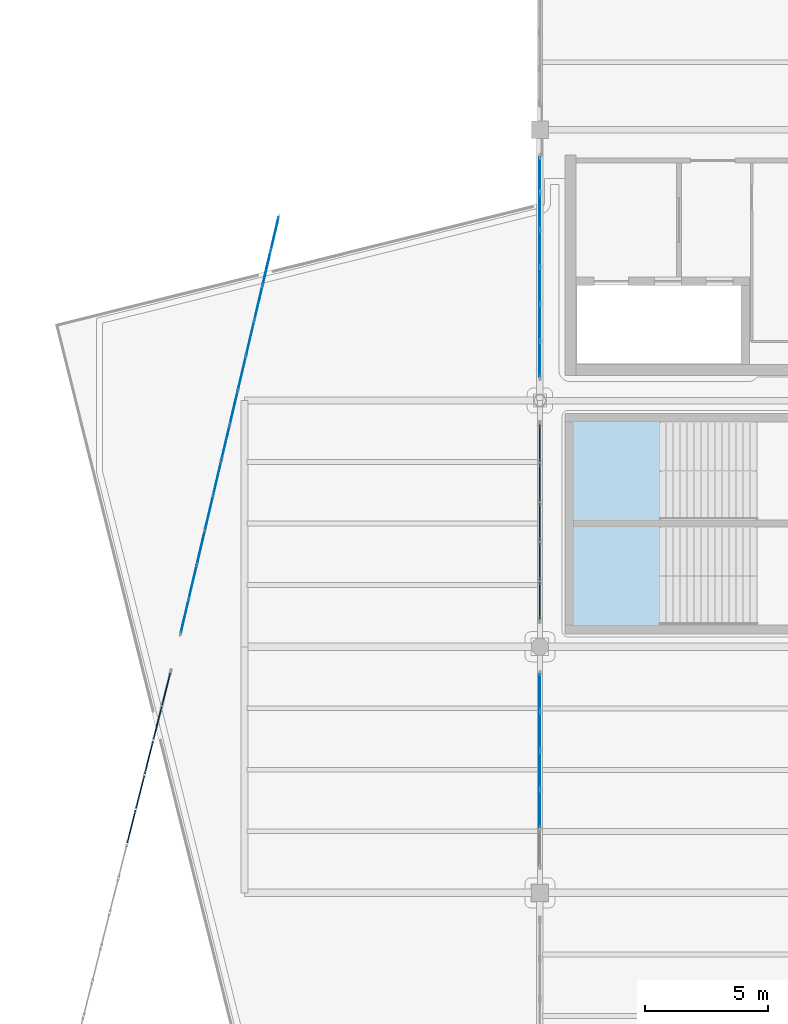
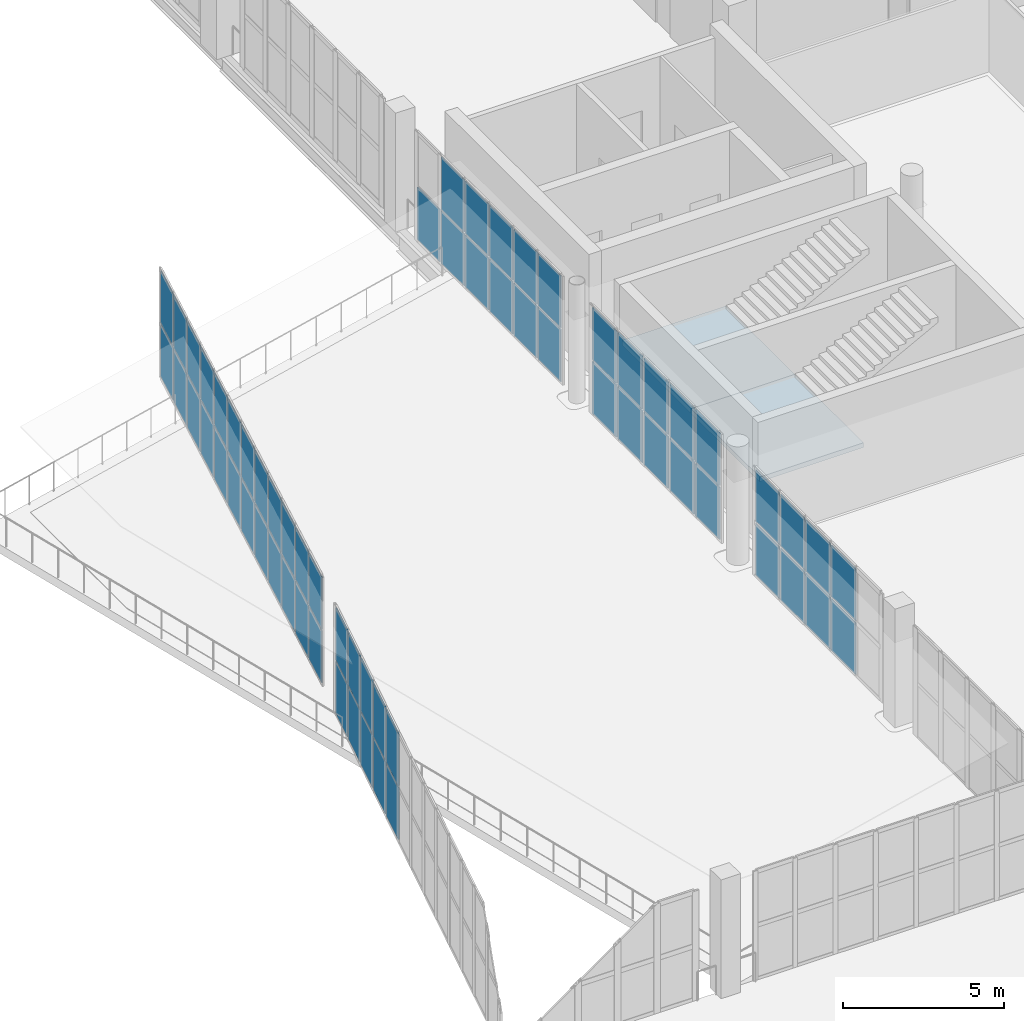
# One storey, part 71 of 108: 63 plates, 2 slabs, 7 elements without a shape of their own.
"""IFC4 building model written with IfcOpenShell, lengths in metres."""

from ifc_helpers import new_model, si_unit, direction, frame, origin, origin_2d, place, context, subcontext, project, spatial, polyline, rectangle, outline, extrude, material, layer, layer_set, type_object, element, aggregate, save


model = new_model("IFC4")

# Units and contexts
model_context = context("Model", 3, precision=1e-05, world=origin(), true_north=direction((0.0, 1.0)))
body_context = subcontext(model_context, "Body", "Model", "MODEL_VIEW")
ifc_project = project(units=[si_unit("LENGTHUNIT", "METRE"), si_unit("AREAUNIT", "SQUARE_METRE"), si_unit("VOLUMEUNIT", "CUBIC_METRE"), si_unit("PLANEANGLEUNIT", "RADIAN"), si_unit("MASSUNIT", "GRAM", prefix="KILO")], contexts=[model_context])

# Site, building, storey
site_placement = place(None, origin())
site = spatial("IfcSite", under=ifc_project, at=site_placement, CompositionType="ELEMENT")
building_placement = place(site_placement, origin())
building = spatial("IfcBuilding", under=site, at=building_placement, Name="Brinegate Civic Arena", CompositionType="ELEMENT")
storey_placement = place(building_placement, frame((0.0, 0.0, 10.199951171875)))
storey = spatial("IfcBuildingStorey", under=building, at=storey_placement, Name="L02", CompositionType="ELEMENT", Elevation=10.199951171875)

# Curtain wall, plates
ifc_material_1 = material(Name="Marine grade aluminium", Category="aluminium")
ifc_layer_1 = layer(ifc_material_1, 0.215087890625, Name="Marine grade aluminium")
ifc_layer_set_1 = layer_set([ifc_layer_1], Name="Marine grade aluminium")
curtain_wall_type_1 = type_object("IfcCurtainWallType", Name="CW-FOYER-GLAZED-02", PredefinedType="USERDEFINED", material=ifc_layer_set_1)
curtain_wall_1_placement = place(storey_placement, origin())
curtain_wall_1 = element("IfcCurtainWall", 1, at=curtain_wall_1_placement, inside=storey, type_object=curtain_wall_type_1, Name="Curtain Wall CWA-004", ObjectType="GLAZED CURTAIN WALL", PredefinedType="USERDEFINED")
ifc_material_2 = material(Name="Hurricane laminated low-E glass", Category="glass")
ifc_layer_2 = layer(ifc_material_2, 0.028076171875, Name="Hurricane laminated low-E glass")
ifc_layer_set_2 = layer_set([ifc_layer_2], Name="Hurricane laminated low-E glass")
plate_type_1 = type_object("IfcPlateType", Name="CW-PANEL-GLAZED-28", PredefinedType="CURTAIN_PANEL", material=ifc_layer_set_2)
plate_1_placement = place(storey_placement, frame((33.5703125, 73.22412109375, 0.06494140625), z_axis=(0.0, 0.0, 1.0), x_axis=(0.229039333722, 0.973417168334, 0.0)))
plate_1 = element("IfcPlate", 2, at=plate_1_placement, type_object=plate_type_1, Name="CWA-004 panel 1.1", PredefinedType="CURTAIN_PANEL", context=body_context, shape_type="SweptSolid", body=[
    extrude(rectangle(XDim=1.35791015625, YDim=0.028076171875, at=origin_2d()), origin(), (0.0, 0.0, 1.0), 1.9775390625),
])
plate_2_placement = place(storey_placement, frame((33.5703125, 73.22412109375, 2.107421875), z_axis=(0.0, 0.0, 1.0), x_axis=(0.229039333722, 0.973417168334, 0.0)))
plate_2 = element("IfcPlate", 3, at=plate_2_placement, type_object=plate_type_1, Name="CWA-004 panel 1.2", PredefinedType="CURTAIN_PANEL", context=body_context, shape_type="SweptSolid", body=[
    extrude(rectangle(XDim=1.35791015625, YDim=0.028076171875, at=origin_2d()), origin(), (0.0, 0.0, 1.0), 1.9775390625),
])
plate_3_placement = place(storey_placement, frame((33.89990234375, 74.625, 0.06494140625), z_axis=(0.0, 0.0, 1.0), x_axis=(0.229039333722, 0.973417168334, 0.0)))
plate_3 = element("IfcPlate", 4, at=plate_3_placement, type_object=plate_type_1, Name="CWA-004 panel 2.1", PredefinedType="CURTAIN_PANEL", context=body_context, shape_type="SweptSolid", body=[
    extrude(rectangle(XDim=1.390380859375, YDim=0.028076171875, at=origin_2d()), origin(), (0.0, 0.0, 1.0), 1.9775390625),
])
plate_4_placement = place(storey_placement, frame((33.89990234375, 74.625, 2.107421875), z_axis=(0.0, 0.0, 1.0), x_axis=(0.229039333722, 0.973417168334, 0.0)))
plate_4 = element("IfcPlate", 5, at=plate_4_placement, type_object=plate_type_1, Name="CWA-004 panel 2.2", PredefinedType="CURTAIN_PANEL", context=body_context, shape_type="SweptSolid", body=[
    extrude(rectangle(XDim=1.390380859375, YDim=0.028076171875, at=origin_2d()), origin(), (0.0, 0.0, 1.0), 1.9775390625),
])
plate_5_placement = place(storey_placement, frame((34.2333984375, 76.041748046875, 0.06494140625), z_axis=(0.0, 0.0, 1.0), x_axis=(0.229039333722, 0.973417168334, 0.0)))
plate_5 = element("IfcPlate", 6, at=plate_5_placement, type_object=plate_type_1, Name="CWA-004 panel 3.1", PredefinedType="CURTAIN_PANEL", context=body_context, shape_type="SweptSolid", body=[
    extrude(rectangle(XDim=1.390380859375, YDim=0.028076171875, at=origin_2d()), origin(), (0.0, 0.0, 1.0), 1.9775390625),
])
plate_6_placement = place(storey_placement, frame((34.2333984375, 76.041748046875, 2.107421875), z_axis=(0.0, 0.0, 1.0), x_axis=(0.229039333722, 0.973417168334, 0.0)))
plate_6 = element("IfcPlate", 7, at=plate_6_placement, type_object=plate_type_1, Name="CWA-004 panel 3.2", PredefinedType="CURTAIN_PANEL", context=body_context, shape_type="SweptSolid", body=[
    extrude(rectangle(XDim=1.390380859375, YDim=0.028076171875, at=origin_2d()), origin(), (0.0, 0.0, 1.0), 1.9775390625),
])
plate_7_placement = place(storey_placement, frame((34.566650390625, 77.458251953125, 0.06494140625), z_axis=(0.0, 0.0, 1.0), x_axis=(0.229039333722, 0.973417168334, 0.0)))
plate_7 = element("IfcPlate", 8, at=plate_7_placement, type_object=plate_type_1, Name="CWA-004 panel 4.1", PredefinedType="CURTAIN_PANEL", context=body_context, shape_type="SweptSolid", body=[
    extrude(rectangle(XDim=1.390380859375, YDim=0.028076171875, at=origin_2d()), origin(), (0.0, 0.0, 1.0), 1.9775390625),
])
plate_8_placement = place(storey_placement, frame((34.566650390625, 77.458251953125, 2.107421875), z_axis=(0.0, 0.0, 1.0), x_axis=(0.229039333722, 0.973417168334, 0.0)))
plate_8 = element("IfcPlate", 9, at=plate_8_placement, type_object=plate_type_1, Name="CWA-004 panel 4.2", PredefinedType="CURTAIN_PANEL", context=body_context, shape_type="SweptSolid", body=[
    extrude(rectangle(XDim=1.390380859375, YDim=0.028076171875, at=origin_2d()), origin(), (0.0, 0.0, 1.0), 1.9775390625),
])
plate_9_placement = place(storey_placement, frame((34.89990234375, 78.875, 0.06494140625), z_axis=(0.0, 0.0, 1.0), x_axis=(0.229039333722, 0.973417168334, 0.0)))
plate_9 = element("IfcPlate", 10, at=plate_9_placement, type_object=plate_type_1, Name="CWA-004 panel 5.1", PredefinedType="CURTAIN_PANEL", context=body_context, shape_type="SweptSolid", body=[
    extrude(rectangle(XDim=1.390380859375, YDim=0.028076171875, at=origin_2d()), origin(), (0.0, 0.0, 1.0), 1.9775390625),
])
plate_10_placement = place(storey_placement, frame((34.89990234375, 78.875, 2.107421875), z_axis=(0.0, 0.0, 1.0), x_axis=(0.229039333722, 0.973417168334, 0.0)))
plate_10 = element("IfcPlate", 11, at=plate_10_placement, type_object=plate_type_1, Name="CWA-004 panel 5.2", PredefinedType="CURTAIN_PANEL", context=body_context, shape_type="SweptSolid", body=[
    extrude(rectangle(XDim=1.390380859375, YDim=0.028076171875, at=origin_2d()), origin(), (0.0, 0.0, 1.0), 1.9775390625),
])
plate_11_placement = place(storey_placement, frame((35.2333984375, 80.291748046875, 0.06494140625), z_axis=(0.0, 0.0, 1.0), x_axis=(0.229039333722, 0.973417168334, 0.0)))
plate_11 = element("IfcPlate", 12, at=plate_11_placement, type_object=plate_type_1, Name="CWA-004 panel 6.1", PredefinedType="CURTAIN_PANEL", context=body_context, shape_type="SweptSolid", body=[
    extrude(rectangle(XDim=1.390380859375, YDim=0.028076171875, at=origin_2d()), origin(), (0.0, 0.0, 1.0), 1.9775390625),
])
plate_12_placement = place(storey_placement, frame((35.2333984375, 80.291748046875, 2.107421875), z_axis=(0.0, 0.0, 1.0), x_axis=(0.229039333722, 0.973417168334, 0.0)))
plate_12 = element("IfcPlate", 13, at=plate_12_placement, type_object=plate_type_1, Name="CWA-004 panel 6.2", PredefinedType="CURTAIN_PANEL", context=body_context, shape_type="SweptSolid", body=[
    extrude(rectangle(XDim=1.390380859375, YDim=0.028076171875, at=origin_2d()), origin(), (0.0, 0.0, 1.0), 1.9775390625),
])
plate_13_placement = place(storey_placement, frame((35.566650390625, 81.708251953125, 0.06494140625), z_axis=(0.0, 0.0, 1.0), x_axis=(0.229039333722, 0.973417168334, 0.0)))
plate_13 = element("IfcPlate", 14, at=plate_13_placement, type_object=plate_type_1, Name="CWA-004 panel 7.1", PredefinedType="CURTAIN_PANEL", context=body_context, shape_type="SweptSolid", body=[
    extrude(rectangle(XDim=1.390380859375, YDim=0.028076171875, at=origin_2d()), origin(), (0.0, 0.0, 1.0), 1.9775390625),
])
plate_14_placement = place(storey_placement, frame((35.566650390625, 81.708251953125, 2.107421875), z_axis=(0.0, 0.0, 1.0), x_axis=(0.229039333722, 0.973417168334, 0.0)))
plate_14 = element("IfcPlate", 15, at=plate_14_placement, type_object=plate_type_1, Name="CWA-004 panel 7.2", PredefinedType="CURTAIN_PANEL", context=body_context, shape_type="SweptSolid", body=[
    extrude(rectangle(XDim=1.390380859375, YDim=0.028076171875, at=origin_2d()), origin(), (0.0, 0.0, 1.0), 1.9775390625),
])
plate_15_placement = place(storey_placement, frame((35.89990234375, 83.125, 0.06494140625), z_axis=(0.0, 0.0, 1.0), x_axis=(0.229039333722, 0.973417168334, 0.0)))
plate_15 = element("IfcPlate", 16, at=plate_15_placement, type_object=plate_type_1, Name="CWA-004 panel 8.1", PredefinedType="CURTAIN_PANEL", context=body_context, shape_type="SweptSolid", body=[
    extrude(rectangle(XDim=1.390380859375, YDim=0.028076171875, at=origin_2d()), origin(), (0.0, 0.0, 1.0), 1.9775390625),
])
plate_16_placement = place(storey_placement, frame((35.89990234375, 83.125, 2.107421875), z_axis=(0.0, 0.0, 1.0), x_axis=(0.229039333722, 0.973417168334, 0.0)))
plate_16 = element("IfcPlate", 17, at=plate_16_placement, type_object=plate_type_1, Name="CWA-004 panel 8.2", PredefinedType="CURTAIN_PANEL", context=body_context, shape_type="SweptSolid", body=[
    extrude(rectangle(XDim=1.390380859375, YDim=0.028076171875, at=origin_2d()), origin(), (0.0, 0.0, 1.0), 1.9775390625),
])
plate_17_placement = place(storey_placement, frame((36.2333984375, 84.541748046875, 0.06494140625), z_axis=(0.0, 0.0, 1.0), x_axis=(0.229039333722, 0.973417168334, 0.0)))
plate_17 = element("IfcPlate", 18, at=plate_17_placement, type_object=plate_type_1, Name="CWA-004 panel 9.1", PredefinedType="CURTAIN_PANEL", context=body_context, shape_type="SweptSolid", body=[
    extrude(rectangle(XDim=1.390380859375, YDim=0.028076171875, at=origin_2d()), origin(), (0.0, 0.0, 1.0), 1.9775390625),
])
plate_18_placement = place(storey_placement, frame((36.2333984375, 84.541748046875, 2.107421875), z_axis=(0.0, 0.0, 1.0), x_axis=(0.229039333722, 0.973417168334, 0.0)))
plate_18 = element("IfcPlate", 19, at=plate_18_placement, type_object=plate_type_1, Name="CWA-004 panel 9.2", PredefinedType="CURTAIN_PANEL", context=body_context, shape_type="SweptSolid", body=[
    extrude(rectangle(XDim=1.390380859375, YDim=0.028076171875, at=origin_2d()), origin(), (0.0, 0.0, 1.0), 1.9775390625),
])
plate_19_placement = place(storey_placement, frame((36.566650390625, 85.958251953125, 0.06494140625), z_axis=(0.0, 0.0, 1.0), x_axis=(0.229039333722, 0.973417168334, 0.0)))
plate_19 = element("IfcPlate", 20, at=plate_19_placement, type_object=plate_type_1, Name="CWA-004 panel 10.1", PredefinedType="CURTAIN_PANEL", context=body_context, shape_type="SweptSolid", body=[
    extrude(rectangle(XDim=1.390380859375, YDim=0.028076171875, at=origin_2d()), origin(), (0.0, 0.0, 1.0), 1.9775390625),
])
plate_20_placement = place(storey_placement, frame((36.566650390625, 85.958251953125, 2.107421875), z_axis=(0.0, 0.0, 1.0), x_axis=(0.229039333722, 0.973417168334, 0.0)))
plate_20 = element("IfcPlate", 21, at=plate_20_placement, type_object=plate_type_1, Name="CWA-004 panel 10.2", PredefinedType="CURTAIN_PANEL", context=body_context, shape_type="SweptSolid", body=[
    extrude(rectangle(XDim=1.390380859375, YDim=0.028076171875, at=origin_2d()), origin(), (0.0, 0.0, 1.0), 1.9775390625),
])
plate_21_placement = place(storey_placement, frame((36.89990234375, 87.375, 0.06494140625), z_axis=(0.0, 0.0, 1.0), x_axis=(0.229039333722, 0.973417168334, 0.0)))
plate_21 = element("IfcPlate", 22, at=plate_21_placement, type_object=plate_type_1, Name="CWA-004 panel 11.1", PredefinedType="CURTAIN_PANEL", context=body_context, shape_type="SweptSolid", body=[
    extrude(rectangle(XDim=1.390380859375, YDim=0.028076171875, at=origin_2d()), origin(), (0.0, 0.0, 1.0), 1.9775390625),
])
plate_22_placement = place(storey_placement, frame((36.89990234375, 87.375, 2.107421875), z_axis=(0.0, 0.0, 1.0), x_axis=(0.229039333722, 0.973417168334, 0.0)))
plate_22 = element("IfcPlate", 23, at=plate_22_placement, type_object=plate_type_1, Name="CWA-004 panel 11.2", PredefinedType="CURTAIN_PANEL", context=body_context, shape_type="SweptSolid", body=[
    extrude(rectangle(XDim=1.390380859375, YDim=0.028076171875, at=origin_2d()), origin(), (0.0, 0.0, 1.0), 1.9775390625),
])
plate_23_placement = place(storey_placement, frame((37.2294921875, 88.77587890625, 0.06494140625), z_axis=(0.0, 0.0, 1.0), x_axis=(0.229039333722, 0.973417168334, 0.0)))
plate_23 = element("IfcPlate", 24, at=plate_23_placement, type_object=plate_type_1, Name="CWA-004 panel 12.1", PredefinedType="CURTAIN_PANEL", context=body_context, shape_type="SweptSolid", body=[
    extrude(rectangle(XDim=1.35791015625, YDim=0.028076171875, at=origin_2d()), origin(), (0.0, 0.0, 1.0), 1.9775390625),
])
plate_24_placement = place(storey_placement, frame((37.2294921875, 88.77587890625, 2.107421875), z_axis=(0.0, 0.0, 1.0), x_axis=(0.229039333722, 0.973417168334, 0.0)))
plate_24 = element("IfcPlate", 25, at=plate_24_placement, type_object=plate_type_1, Name="CWA-004 panel 12.2", PredefinedType="CURTAIN_PANEL", context=body_context, shape_type="SweptSolid", body=[
    extrude(rectangle(XDim=1.35791015625, YDim=0.028076171875, at=origin_2d()), origin(), (0.0, 0.0, 1.0), 1.9775390625),
])
aggregate(curtain_wall_1, [plate_1, plate_2, plate_3, plate_4, plate_5, plate_6, plate_7, plate_8, plate_9, plate_10, plate_11, plate_12, plate_13, plate_14, plate_15, plate_16, plate_17, plate_18, plate_19, plate_20, plate_21, plate_22, plate_23, plate_24])

ifc_layer_3 = layer(ifc_material_1, 0.199951171875, Name="Marine grade aluminium")
ifc_layer_set_3 = layer_set([ifc_layer_3], Name="Marine grade aluminium")
curtain_wall_type_2 = type_object("IfcCurtainWallType", Name="CW-BOWL-GLAZED-01", PredefinedType="USERDEFINED", material=ifc_layer_set_3)
curtain_wall_2_placement = place(storey_placement, origin())
curtain_wall_2 = element("IfcCurtainWall", 26, at=curtain_wall_2_placement, inside=storey, type_object=curtain_wall_type_2, Name="Curtain Wall CWA-085", ObjectType="GLAZED CURTAIN WALL", PredefinedType="USERDEFINED")
ifc_layer_4 = layer(ifc_material_2, 0.031982421875, Name="Hurricane laminated low-E glass")
ifc_layer_set_4 = layer_set([ifc_layer_4], Name="Hurricane laminated low-E glass")
plate_type_2 = type_object("IfcPlateType", Name="CW-PANEL-GLAZED-32", PredefinedType="CURTAIN_PANEL", material=ifc_layer_set_4)
plate_25_placement = place(storey_placement, frame((48.0, 65.41796875, 0.0751953125), z_axis=(0.0, 0.0, 1.0), x_axis=(0.0, 1.0, 0.0)))
plate_25 = element("IfcPlate", 27, at=plate_25_placement, type_object=plate_type_2, Name="CWA-085 panel 2.1", PredefinedType="CURTAIN_PANEL", context=body_context, shape_type="SweptSolid", body=[
    extrude(rectangle(XDim=1.51708984375, YDim=0.031982421875, at=origin_2d()), origin(), (0.0, 0.0, 1.0), 1.96240234375),
])
plate_26_placement = place(storey_placement, frame((48.0, 65.41796875, 2.112548828125), z_axis=(0.0, 0.0, 1.0), x_axis=(0.0, 1.0, 0.0)))
plate_26 = element("IfcPlate", 28, at=plate_26_placement, type_object=plate_type_2, Name="CWA-085 panel 2.2", PredefinedType="CURTAIN_PANEL", context=body_context, shape_type="SweptSolid", body=[
    extrude(rectangle(XDim=1.51708984375, YDim=0.031982421875, at=origin_2d()), origin(), (0.0, 0.0, 1.0), 1.96240234375),
])
plate_27_placement = place(storey_placement, frame((48.0, 67.0, 0.0751953125), z_axis=(0.0, 0.0, 1.0), x_axis=(0.0, 1.0, 0.0)))
plate_27 = element("IfcPlate", 29, at=plate_27_placement, type_object=plate_type_2, Name="CWA-085 panel 3.1", PredefinedType="CURTAIN_PANEL", context=body_context, shape_type="SweptSolid", body=[
    extrude(rectangle(XDim=1.51708984375, YDim=0.031982421875, at=origin_2d()), origin(), (0.0, 0.0, 1.0), 1.96240234375),
])
plate_28_placement = place(storey_placement, frame((48.0, 67.0, 2.112548828125), z_axis=(0.0, 0.0, 1.0), x_axis=(0.0, 1.0, 0.0)))
plate_28 = element("IfcPlate", 30, at=plate_28_placement, type_object=plate_type_2, Name="CWA-085 panel 3.2", PredefinedType="CURTAIN_PANEL", context=body_context, shape_type="SweptSolid", body=[
    extrude(rectangle(XDim=1.51708984375, YDim=0.031982421875, at=origin_2d()), origin(), (0.0, 0.0, 1.0), 1.96240234375),
])
plate_29_placement = place(storey_placement, frame((48.0, 68.58203125, 0.0751953125), z_axis=(0.0, 0.0, 1.0), x_axis=(0.0, 1.0, 0.0)))
plate_29 = element("IfcPlate", 31, at=plate_29_placement, type_object=plate_type_2, Name="CWA-085 panel 4.1", PredefinedType="CURTAIN_PANEL", context=body_context, shape_type="SweptSolid", body=[
    extrude(rectangle(XDim=1.51708984375, YDim=0.031982421875, at=origin_2d()), origin(), (0.0, 0.0, 1.0), 1.96240234375),
])
plate_30_placement = place(storey_placement, frame((48.0, 68.58203125, 2.112548828125), z_axis=(0.0, 0.0, 1.0), x_axis=(0.0, 1.0, 0.0)))
plate_30 = element("IfcPlate", 32, at=plate_30_placement, type_object=plate_type_2, Name="CWA-085 panel 4.2", PredefinedType="CURTAIN_PANEL", context=body_context, shape_type="SweptSolid", body=[
    extrude(rectangle(XDim=1.51708984375, YDim=0.031982421875, at=origin_2d()), origin(), (0.0, 0.0, 1.0), 1.96240234375),
])
plate_31_placement = place(storey_placement, frame((48.0, 70.147705078125, 0.0751953125), z_axis=(0.0, 0.0, 1.0), x_axis=(0.0, 1.0, 0.0)))
plate_31 = element("IfcPlate", 33, at=plate_31_placement, type_object=plate_type_2, Name="CWA-085 panel 5.1", PredefinedType="CURTAIN_PANEL", context=body_context, shape_type="SweptSolid", body=[
    extrude(rectangle(XDim=1.484619140625, YDim=0.031982421875, at=origin_2d()), origin(), (0.0, 0.0, 1.0), 1.96240234375),
])
plate_32_placement = place(storey_placement, frame((48.0, 70.147705078125, 2.112548828125), z_axis=(0.0, 0.0, 1.0), x_axis=(0.0, 1.0, 0.0)))
plate_32 = element("IfcPlate", 34, at=plate_32_placement, type_object=plate_type_2, Name="CWA-085 panel 5.2", PredefinedType="CURTAIN_PANEL", context=body_context, shape_type="SweptSolid", body=[
    extrude(rectangle(XDim=1.484619140625, YDim=0.031982421875, at=origin_2d()), origin(), (0.0, 0.0, 1.0), 1.96240234375),
])
aggregate(curtain_wall_2, [plate_25, plate_26, plate_27, plate_28, plate_29, plate_30, plate_31, plate_32])

curtain_wall_3_placement = place(storey_placement, origin())
curtain_wall_3 = element("IfcCurtainWall", 35, at=curtain_wall_3_placement, inside=storey, type_object=curtain_wall_type_2, Name="Curtain Wall CWA-089", ObjectType="GLAZED CURTAIN WALL", PredefinedType="USERDEFINED")
plate_33_placement = place(storey_placement, frame((48.0, 83.67919921875, 0.06494140625), z_axis=(0.0, 0.0, 1.0), x_axis=(0.0, 1.0, 0.0)))
plate_33 = element("IfcPlate", 36, at=plate_33_placement, type_object=plate_type_2, Name="CWA-089 panel 1.1", PredefinedType="CURTAIN_PANEL", context=body_context, shape_type="SweptSolid", body=[
    extrude(rectangle(XDim=1.41015625, YDim=0.031982421875, at=origin_2d()), origin(), (0.0, 0.0, 1.0), 1.9775390625),
])
plate_34_placement = place(storey_placement, frame((48.0, 83.67919921875, 2.107421875), z_axis=(0.0, 0.0, 1.0), x_axis=(0.0, 1.0, 0.0)))
plate_34 = element("IfcPlate", 37, at=plate_34_placement, type_object=plate_type_2, Name="CWA-089 panel 1.2", PredefinedType="CURTAIN_PANEL", context=body_context, shape_type="SweptSolid", body=[
    extrude(rectangle(XDim=1.41015625, YDim=0.031982421875, at=origin_2d()), origin(), (0.0, 0.0, 1.0), 1.9775390625),
])
plate_35_placement = place(storey_placement, frame((48.0, 85.17041015625, 0.06494140625), z_axis=(0.0, 0.0, 1.0), x_axis=(0.0, 1.0, 0.0)))
plate_35 = element("IfcPlate", 38, at=plate_35_placement, type_object=plate_type_2, Name="CWA-089 panel 2.1", PredefinedType="CURTAIN_PANEL", context=body_context, shape_type="SweptSolid", body=[
    extrude(rectangle(XDim=1.442626953125, YDim=0.031982421875, at=origin_2d()), origin(), (0.0, 0.0, 1.0), 1.9775390625),
])
plate_36_placement = place(storey_placement, frame((48.0, 85.17041015625, 2.107421875), z_axis=(0.0, 0.0, 1.0), x_axis=(0.0, 1.0, 0.0)))
plate_36 = element("IfcPlate", 39, at=plate_36_placement, type_object=plate_type_2, Name="CWA-089 panel 2.2", PredefinedType="CURTAIN_PANEL", context=body_context, shape_type="SweptSolid", body=[
    extrude(rectangle(XDim=1.442626953125, YDim=0.031982421875, at=origin_2d()), origin(), (0.0, 0.0, 1.0), 1.9775390625),
])
plate_37_placement = place(storey_placement, frame((48.0, 86.67822265625, 0.06494140625), z_axis=(0.0, 0.0, 1.0), x_axis=(0.0, 1.0, 0.0)))
plate_37 = element("IfcPlate", 40, at=plate_37_placement, type_object=plate_type_2, Name="CWA-089 panel 3.1", PredefinedType="CURTAIN_PANEL", context=body_context, shape_type="SweptSolid", body=[
    extrude(rectangle(XDim=1.442626953125, YDim=0.031982421875, at=origin_2d()), origin(), (0.0, 0.0, 1.0), 1.9775390625),
])
plate_38_placement = place(storey_placement, frame((48.0, 86.67822265625, 2.107421875), z_axis=(0.0, 0.0, 1.0), x_axis=(0.0, 1.0, 0.0)))
plate_38 = element("IfcPlate", 41, at=plate_38_placement, type_object=plate_type_2, Name="CWA-089 panel 3.2", PredefinedType="CURTAIN_PANEL", context=body_context, shape_type="SweptSolid", body=[
    extrude(rectangle(XDim=1.442626953125, YDim=0.031982421875, at=origin_2d()), origin(), (0.0, 0.0, 1.0), 1.9775390625),
])
plate_39_placement = place(storey_placement, frame((48.0, 88.185791015625, 0.06494140625), z_axis=(0.0, 0.0, 1.0), x_axis=(0.0, 1.0, 0.0)))
plate_39 = element("IfcPlate", 42, at=plate_39_placement, type_object=plate_type_2, Name="CWA-089 panel 4.1", PredefinedType="CURTAIN_PANEL", context=body_context, shape_type="SweptSolid", body=[
    extrude(rectangle(XDim=1.442626953125, YDim=0.031982421875, at=origin_2d()), origin(), (0.0, 0.0, 1.0), 1.9775390625),
])
plate_40_placement = place(storey_placement, frame((48.0, 88.185791015625, 2.107421875), z_axis=(0.0, 0.0, 1.0), x_axis=(0.0, 1.0, 0.0)))
plate_40 = element("IfcPlate", 43, at=plate_40_placement, type_object=plate_type_2, Name="CWA-089 panel 4.2", PredefinedType="CURTAIN_PANEL", context=body_context, shape_type="SweptSolid", body=[
    extrude(rectangle(XDim=1.442626953125, YDim=0.031982421875, at=origin_2d()), origin(), (0.0, 0.0, 1.0), 1.9775390625),
])
plate_41_placement = place(storey_placement, frame((48.0, 89.693603515625, 0.06494140625), z_axis=(0.0, 0.0, 1.0), x_axis=(0.0, 1.0, 0.0)))
plate_41 = element("IfcPlate", 44, at=plate_41_placement, type_object=plate_type_2, Name="CWA-089 panel 5.1", PredefinedType="CURTAIN_PANEL", context=body_context, shape_type="SweptSolid", body=[
    extrude(rectangle(XDim=1.442626953125, YDim=0.031982421875, at=origin_2d()), origin(), (0.0, 0.0, 1.0), 1.9775390625),
])
plate_42_placement = place(storey_placement, frame((48.0, 89.693603515625, 2.107421875), z_axis=(0.0, 0.0, 1.0), x_axis=(0.0, 1.0, 0.0)))
plate_42 = element("IfcPlate", 45, at=plate_42_placement, type_object=plate_type_2, Name="CWA-089 panel 5.2", PredefinedType="CURTAIN_PANEL", context=body_context, shape_type="SweptSolid", body=[
    extrude(rectangle(XDim=1.442626953125, YDim=0.031982421875, at=origin_2d()), origin(), (0.0, 0.0, 1.0), 1.9775390625),
])
plate_43_placement = place(storey_placement, frame((48.0, 91.184814453125, 0.06494140625), z_axis=(0.0, 0.0, 1.0), x_axis=(0.0, 1.0, 0.0)))
plate_43 = element("IfcPlate", 46, at=plate_43_placement, type_object=plate_type_2, Name="CWA-089 panel 6.1", PredefinedType="CURTAIN_PANEL", context=body_context, shape_type="SweptSolid", body=[
    extrude(rectangle(XDim=1.41015625, YDim=0.031982421875, at=origin_2d()), origin(), (0.0, 0.0, 1.0), 1.9775390625),
])
aggregate(curtain_wall_3, [plate_33, plate_34, plate_35, plate_36, plate_37, plate_38, plate_39, plate_40, plate_41, plate_42, plate_43])

curtain_wall_4_placement = place(storey_placement, origin())
curtain_wall_4 = element("IfcCurtainWall", 47, at=curtain_wall_4_placement, inside=storey, type_object=curtain_wall_type_1, Name="Curtain Wall CWA-003", ObjectType="GLAZED CURTAIN WALL", PredefinedType="USERDEFINED")
ifc_layer_5 = layer(ifc_material_2, 0.0419921875, Name="Hurricane laminated low-E glass")
ifc_layer_set_5 = layer_set([ifc_layer_5], Name="Hurricane laminated low-E glass")
plate_type_3 = type_object("IfcPlateType", Name="CW-PANEL-SPANDREL-42", PredefinedType="CURTAIN_PANEL", material=ifc_layer_set_5)
plate_44_placement = place(storey_placement, frame((31.40771484375, 64.699951171875, 0.06494140625), z_axis=(0.0, 0.0, 1.0), x_axis=(0.245041635134, 0.969512556417, 0.0)))
plate_44 = element("IfcPlate", 48, at=plate_44_placement, type_object=plate_type_3, Name="CWA-003 panel 9.1", PredefinedType="CURTAIN_PANEL", context=body_context, shape_type="SweptSolid", body=[
    extrude(rectangle(XDim=1.364013671875, YDim=0.0419921875, at=origin_2d()), origin(), (0.0, 0.0, 1.0), 1.9775390625),
])
plate_45_placement = place(storey_placement, frame((31.40771484375, 64.699951171875, 2.107421875), z_axis=(0.0, 0.0, 1.0), x_axis=(0.245041635134, 0.969512556417, 0.0)))
plate_45 = element("IfcPlate", 49, at=plate_45_placement, type_object=plate_type_3, Name="CWA-003 panel 9.2", PredefinedType="CURTAIN_PANEL", context=body_context, shape_type="SweptSolid", body=[
    extrude(rectangle(XDim=1.364013671875, YDim=0.0419921875, at=origin_2d()), origin(), (0.0, 0.0, 1.0), 1.9775390625),
])
plate_46_placement = place(storey_placement, frame((31.761474609375, 66.10009765625, 0.06494140625), z_axis=(0.0, 0.0, 1.0), x_axis=(0.245041635134, 0.969512556417, 0.0)))
plate_46 = element("IfcPlate", 50, at=plate_46_placement, type_object=plate_type_3, Name="CWA-003 panel 10.1", PredefinedType="CURTAIN_PANEL", context=body_context, shape_type="SweptSolid", body=[
    extrude(rectangle(XDim=1.364013671875, YDim=0.0419921875, at=origin_2d()), origin(), (0.0, 0.0, 1.0), 1.9775390625),
])
plate_47_placement = place(storey_placement, frame((31.761474609375, 66.10009765625, 2.107421875), z_axis=(0.0, 0.0, 1.0), x_axis=(0.245041635134, 0.969512556417, 0.0)))
plate_47 = element("IfcPlate", 51, at=plate_47_placement, type_object=plate_type_3, Name="CWA-003 panel 10.2", PredefinedType="CURTAIN_PANEL", context=body_context, shape_type="SweptSolid", body=[
    extrude(rectangle(XDim=1.364013671875, YDim=0.0419921875, at=origin_2d()), origin(), (0.0, 0.0, 1.0), 1.9775390625),
])
plate_48_placement = place(storey_placement, frame((32.115478515625, 67.5, 0.06494140625), z_axis=(0.0, 0.0, 1.0), x_axis=(0.245041635134, 0.969512556417, 0.0)))
plate_48 = element("IfcPlate", 52, at=plate_48_placement, type_object=plate_type_3, Name="CWA-003 panel 11.1", PredefinedType="CURTAIN_PANEL", context=body_context, shape_type="SweptSolid", body=[
    extrude(rectangle(XDim=1.364013671875, YDim=0.0419921875, at=origin_2d()), origin(), (0.0, 0.0, 1.0), 1.9775390625),
])
plate_49_placement = place(storey_placement, frame((32.115478515625, 67.5, 2.107421875), z_axis=(0.0, 0.0, 1.0), x_axis=(0.245041635134, 0.969512556417, 0.0)))
plate_49 = element("IfcPlate", 53, at=plate_49_placement, type_object=plate_type_3, Name="CWA-003 panel 11.2", PredefinedType="CURTAIN_PANEL", context=body_context, shape_type="SweptSolid", body=[
    extrude(rectangle(XDim=1.364013671875, YDim=0.0419921875, at=origin_2d()), origin(), (0.0, 0.0, 1.0), 1.9775390625),
])
plate_50_placement = place(storey_placement, frame((32.46923828125, 68.89990234375, 0.06494140625), z_axis=(0.0, 0.0, 1.0), x_axis=(0.245041635134, 0.969512556417, 0.0)))
plate_50 = element("IfcPlate", 54, at=plate_50_placement, type_object=plate_type_3, Name="CWA-003 panel 12.1", PredefinedType="CURTAIN_PANEL", context=body_context, shape_type="SweptSolid", body=[
    extrude(rectangle(XDim=1.364013671875, YDim=0.0419921875, at=origin_2d()), origin(), (0.0, 0.0, 1.0), 1.9775390625),
])
plate_51_placement = place(storey_placement, frame((32.46923828125, 68.89990234375, 2.107421875), z_axis=(0.0, 0.0, 1.0), x_axis=(0.245041635134, 0.969512556417, 0.0)))
plate_51 = element("IfcPlate", 55, at=plate_51_placement, type_object=plate_type_3, Name="CWA-003 panel 12.2", PredefinedType="CURTAIN_PANEL", context=body_context, shape_type="SweptSolid", body=[
    extrude(rectangle(XDim=1.364013671875, YDim=0.0419921875, at=origin_2d()), origin(), (0.0, 0.0, 1.0), 1.9775390625),
])
plate_52_placement = place(storey_placement, frame((32.818115234375, 70.280517578125, 0.06494140625), z_axis=(0.0, 0.0, 1.0), x_axis=(0.245041635134, 0.969512556417, 0.0)))
plate_52 = element("IfcPlate", 56, at=plate_52_placement, type_object=plate_type_3, Name="CWA-003 panel 13.1", PredefinedType="CURTAIN_PANEL", context=body_context, shape_type="SweptSolid", body=[
    extrude(rectangle(XDim=1.323974609375, YDim=0.0419921875, at=origin_2d()), origin(), (0.0, 0.0, 1.0), 1.9775390625),
])
plate_53_placement = place(storey_placement, frame((32.818115234375, 70.280517578125, 2.107421875), z_axis=(0.0, 0.0, 1.0), x_axis=(0.245041635134, 0.969512556417, 0.0)))
plate_53 = element("IfcPlate", 57, at=plate_53_placement, type_object=plate_type_3, Name="CWA-003 panel 13.2", PredefinedType="CURTAIN_PANEL", context=body_context, shape_type="SweptSolid", body=[
    extrude(rectangle(XDim=1.323974609375, YDim=0.0419921875, at=origin_2d()), origin(), (0.0, 0.0, 1.0), 1.9775390625),
])
aggregate(curtain_wall_4, [plate_44, plate_45, plate_46, plate_47, plate_48, plate_49, plate_50, plate_51, plate_52, plate_53])

curtain_wall_5_placement = place(storey_placement, origin())
curtain_wall_5 = element("IfcCurtainWall", 58, at=curtain_wall_5_placement, inside=storey, type_object=curtain_wall_type_2, Name="Curtain Wall CWA-087", ObjectType="GLAZED CURTAIN WALL", PredefinedType="USERDEFINED")
plate_54_placement = place(storey_placement, frame((48.0, 73.86962890625, 0.06494140625), z_axis=(0.0, 0.0, 1.0), x_axis=(0.0, 1.0, 0.0)))
plate_54 = element("IfcPlate", 59, at=plate_54_placement, type_object=plate_type_3, Name="CWA-087 panel 1.1", PredefinedType="CURTAIN_PANEL", context=body_context, shape_type="SweptSolid", body=[
    extrude(rectangle(XDim=1.4892578125, YDim=0.0419921875, at=origin_2d()), origin(), (0.0, 0.0, 1.0), 1.9775390625),
])
plate_55_placement = place(storey_placement, frame((48.0, 73.86962890625, 2.107421875), z_axis=(0.0, 0.0, 1.0), x_axis=(0.0, 1.0, 0.0)))
plate_55 = element("IfcPlate", 60, at=plate_55_placement, type_object=plate_type_3, Name="CWA-087 panel 1.2", PredefinedType="CURTAIN_PANEL", context=body_context, shape_type="SweptSolid", body=[
    extrude(rectangle(XDim=1.4892578125, YDim=0.0419921875, at=origin_2d()), origin(), (0.0, 0.0, 1.0), 1.9775390625),
])
plate_56_placement = place(storey_placement, frame((48.0, 75.458740234375, 0.06494140625), z_axis=(0.0, 0.0, 1.0), x_axis=(0.0, 1.0, 0.0)))
plate_56 = element("IfcPlate", 61, at=plate_56_placement, type_object=plate_type_3, Name="CWA-087 panel 2.1", PredefinedType="CURTAIN_PANEL", context=body_context, shape_type="SweptSolid", body=[
    extrude(rectangle(XDim=1.529296875, YDim=0.0419921875, at=origin_2d()), origin(), (0.0, 0.0, 1.0), 1.9775390625),
])
plate_57_placement = place(storey_placement, frame((48.0, 75.458740234375, 2.107421875), z_axis=(0.0, 0.0, 1.0), x_axis=(0.0, 1.0, 0.0)))
plate_57 = element("IfcPlate", 62, at=plate_57_placement, type_object=plate_type_3, Name="CWA-087 panel 2.2", PredefinedType="CURTAIN_PANEL", context=body_context, shape_type="SweptSolid", body=[
    extrude(rectangle(XDim=1.529296875, YDim=0.0419921875, at=origin_2d()), origin(), (0.0, 0.0, 1.0), 1.9775390625),
])
plate_58_placement = place(storey_placement, frame((48.0, 77.068115234375, 0.06494140625), z_axis=(0.0, 0.0, 1.0), x_axis=(0.0, 1.0, 0.0)))
plate_58 = element("IfcPlate", 63, at=plate_58_placement, type_object=plate_type_3, Name="CWA-087 panel 3.1", PredefinedType="CURTAIN_PANEL", context=body_context, shape_type="SweptSolid", body=[
    extrude(rectangle(XDim=1.529296875, YDim=0.0419921875, at=origin_2d()), origin(), (0.0, 0.0, 1.0), 1.9775390625),
])
plate_59_placement = place(storey_placement, frame((48.0, 77.068115234375, 2.107421875), z_axis=(0.0, 0.0, 1.0), x_axis=(0.0, 1.0, 0.0)))
plate_59 = element("IfcPlate", 64, at=plate_59_placement, type_object=plate_type_3, Name="CWA-087 panel 3.2", PredefinedType="CURTAIN_PANEL", context=body_context, shape_type="SweptSolid", body=[
    extrude(rectangle(XDim=1.529296875, YDim=0.0419921875, at=origin_2d()), origin(), (0.0, 0.0, 1.0), 1.9775390625),
])
plate_60_placement = place(storey_placement, frame((48.0, 78.67724609375, 0.06494140625), z_axis=(0.0, 0.0, 1.0), x_axis=(0.0, 1.0, 0.0)))
plate_60 = element("IfcPlate", 65, at=plate_60_placement, type_object=plate_type_3, Name="CWA-087 panel 4.1", PredefinedType="CURTAIN_PANEL", context=body_context, shape_type="SweptSolid", body=[
    extrude(rectangle(XDim=1.529296875, YDim=0.0419921875, at=origin_2d()), origin(), (0.0, 0.0, 1.0), 1.9775390625),
])
plate_61_placement = place(storey_placement, frame((48.0, 78.67724609375, 2.107421875), z_axis=(0.0, 0.0, 1.0), x_axis=(0.0, 1.0, 0.0)))
plate_61 = element("IfcPlate", 66, at=plate_61_placement, type_object=plate_type_3, Name="CWA-087 panel 4.2", PredefinedType="CURTAIN_PANEL", context=body_context, shape_type="SweptSolid", body=[
    extrude(rectangle(XDim=1.529296875, YDim=0.0419921875, at=origin_2d()), origin(), (0.0, 0.0, 1.0), 1.9775390625),
])
plate_62_placement = place(storey_placement, frame((48.0, 80.266357421875, 0.06494140625), z_axis=(0.0, 0.0, 1.0), x_axis=(0.0, 1.0, 0.0)))
plate_62 = element("IfcPlate", 67, at=plate_62_placement, type_object=plate_type_3, Name="CWA-087 panel 5.1", PredefinedType="CURTAIN_PANEL", context=body_context, shape_type="SweptSolid", body=[
    extrude(rectangle(XDim=1.4892578125, YDim=0.0419921875, at=origin_2d()), origin(), (0.0, 0.0, 1.0), 1.9775390625),
])
plate_63_placement = place(storey_placement, frame((48.0, 80.266357421875, 2.107421875), z_axis=(0.0, 0.0, 1.0), x_axis=(0.0, 1.0, 0.0)))
plate_63 = element("IfcPlate", 68, at=plate_63_placement, type_object=plate_type_3, Name="CWA-087 panel 5.2", PredefinedType="CURTAIN_PANEL", context=body_context, shape_type="SweptSolid", body=[
    extrude(rectangle(XDim=1.4892578125, YDim=0.0419921875, at=origin_2d()), origin(), (0.0, 0.0, 1.0), 1.9775390625),
])
aggregate(curtain_wall_5, [plate_54, plate_55, plate_56, plate_57, plate_58, plate_59, plate_60, plate_61, plate_62, plate_63])

# Stair, slab
ifc_material_3 = material(Name="Concrete C40/50", Category="concrete")
stair_type_1 = type_object("IfcStairType", Name="STAIR-EXIT-3850", PredefinedType="HALF_TURN_STAIR", material=ifc_material_3)
stair_1_placement = place(storey_placement, origin())
stair_1 = element("IfcStair", 69, at=stair_1_placement, inside=storey, type_object=stair_type_1, Name="Protected Exit Stair ST-07A (L02)", PredefinedType="HALF_TURN_STAIR")
ifc_layer_6 = layer(ifc_material_3, 0.179931640625, Name="Concrete C40/50")
ifc_layer_set_6 = layer_set([ifc_layer_6], Name="Concrete C40/50")
slab_type = type_object("IfcSlabType", Name="SLAB-LANDING-180", PredefinedType="LANDING", material=ifc_layer_set_6)
slab_1_placement = place(storey_placement, frame((0.0, 0.0, 2.070068359375)))
slab_1 = element("IfcSlab", 70, at=slab_1_placement, type_object=slab_type, Name="ST-07A landing 1", PredefinedType="LANDING", context=body_context, shape_type="SweptSolid", body=[
    extrude(outline(polyline([(49.199951171875, 72.72509765625), (52.919921875, 72.72509765625), (52.919921875, 77.0048828125), (49.199951171875, 77.0048828125), (49.199951171875, 72.72509765625)])), origin(), (0.0, 0.0, 1.0), 0.179931640625),
])
aggregate(stair_1, [slab_1])

stair_type_2 = type_object("IfcStairType", Name="STAIR-EXIT-3700", PredefinedType="HALF_TURN_STAIR", material=ifc_material_3)
stair_2_placement = place(storey_placement, origin())
stair_2 = element("IfcStair", 71, at=stair_2_placement, inside=storey, type_object=stair_type_2, Name="Protected Exit Stair ST-07B (L02)", PredefinedType="HALF_TURN_STAIR")
slab_2_placement = place(storey_placement, frame((0.0, 0.0, 2.070068359375)))
slab_2 = element("IfcSlab", 72, at=slab_2_placement, type_object=slab_type, Name="ST-07B landing 1", PredefinedType="LANDING", context=body_context, shape_type="SweptSolid", body=[
    extrude(outline(polyline([(49.199951171875, 76.9951171875), (52.919921875, 76.9951171875), (52.919921875, 81.27490234375), (49.199951171875, 81.27490234375), (49.199951171875, 76.9951171875)])), origin(), (0.0, 0.0, 1.0), 0.179931640625),
])
aggregate(stair_2, [slab_2])

save(model, "model.ifc")
